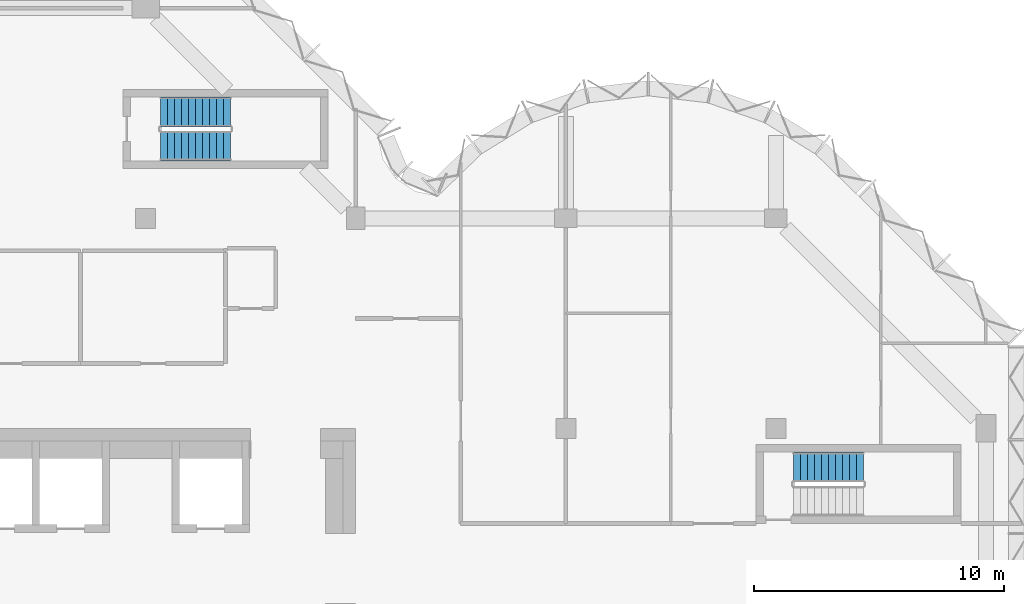
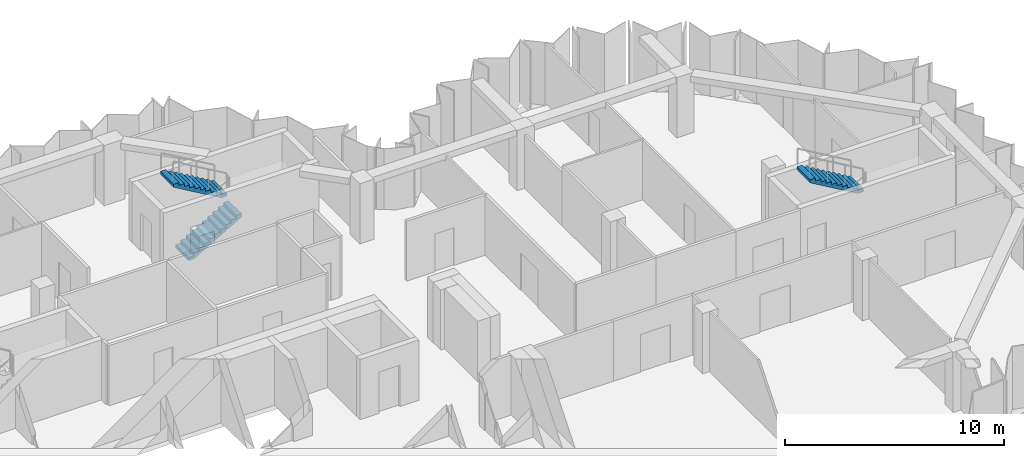
# One storey, part 8 of 10: 3 stair flights, 2 elements without a shape of their own.
"""IFC4 building model written with IfcOpenShell, lengths in metres."""

from ifc_helpers import new_model, si_unit, direction, frame, origin, place, context, subcontext, project, spatial, polyline, outline, extrude, material, type_object, element, aggregate, save


model = new_model("IFC4")

# Units and contexts
model_context = context("Model", 3, precision=1e-05, world=origin(), true_north=direction((0.0, 1.0)))
body_context = subcontext(model_context, "Body", "Model", "MODEL_VIEW")
ifc_project = project(units=[si_unit("LENGTHUNIT", "METRE"), si_unit("AREAUNIT", "SQUARE_METRE"), si_unit("VOLUMEUNIT", "CUBIC_METRE"), si_unit("PLANEANGLEUNIT", "RADIAN"), si_unit("MASSUNIT", "GRAM", prefix="KILO")], contexts=[model_context])

# Site, building, storey
site_placement = place(None, origin())
site = spatial("IfcSite", under=ifc_project, at=site_placement, CompositionType="ELEMENT")
building_placement = place(site_placement, origin())
building = spatial("IfcBuilding", under=site, at=building_placement, Name="Brevane Broadcast Tower", CompositionType="ELEMENT")
storey_placement = place(building_placement, frame((0.0, 0.0, 237.300048828125)))
storey = spatial("IfcBuildingStorey", under=building, at=storey_placement, Name="L60", CompositionType="ELEMENT", Elevation=237.300048828125)

# Stair, stair flights
ifc_material = material(Name="Concrete C50/60", Category="concrete")
stair_type = type_object("IfcStairType", Name="Exit stair 22 risers", PredefinedType="HALF_TURN_STAIR", material=ifc_material)
stair_1_placement = place(storey_placement, origin())
stair_1 = element("IfcStair", 1, at=stair_1_placement, inside=storey, type_object=stair_type, Name="L60 Exit stair ST-3", PredefinedType="HALF_TURN_STAIR")
stair_flight_type = type_object("IfcStairFlightType", Name="Exit stair flight 22 risers", PredefinedType="STRAIGHT", material=ifc_material)
stair_flight_1_placement = place(storey_placement, frame((17.39990234375, 28.10009765625, 0.0), z_axis=(0.0, 0.0, 1.0), x_axis=(1.0, 0.0, 0.0)))
stair_flight_1 = element("IfcStairFlight", 2, at=stair_flight_1_placement, type_object=stair_flight_type, Name="ST-3 flight 1", NumberOfRisers=11, NumberOfTreads=10, PredefinedType="STRAIGHT", RiserHeight=0.163636364, TreadLength=0.28, context=body_context, shape_type="SweptSolid", body=[
    extrude(outline(polyline([(0.0, 0.0), (0.0, 0.16357421875), (0.280029296875, 0.16357421875), (0.280029296875, 0.327392578125), (0.56005859375, 0.327392578125), (0.56005859375, 0.490966796875), (0.840087890625, 0.490966796875), (0.840087890625, 0.654541015625), (1.1201171875, 0.654541015625), (1.1201171875, 0.818115234375), (1.39990234375, 0.818115234375), (1.39990234375, 0.98193359375), (1.679931640625, 0.98193359375), (1.679931640625, 1.1455078125), (1.9599609375, 1.1455078125), (1.9599609375, 1.30908203125), (2.239990234375, 1.30908203125), (2.239990234375, 1.47265625), (2.52001953125, 1.47265625), (2.52001953125, 1.636474609375), (2.800048828125, 1.636474609375), (2.800048828125, 1.800048828125), (2.800048828125, 1.462646484375), (0.297119140625, 0.0), (0.0, 0.0)])), frame((0.0, 0.60009765625, 0.0), z_axis=(0.0, -1.0, 0.0), x_axis=(1.0, 0.0, 0.0)), (0.0, 0.0, 1.0), 1.199951171875),
])
stair_flight_2_placement = place(storey_placement, frame((20.199951171875, 29.449951171875, 1.800048828125), z_axis=(0.0, 0.0, 1.0), x_axis=(-1.0, 0.0, 0.0)))
stair_flight_2 = element("IfcStairFlight", 3, at=stair_flight_2_placement, type_object=stair_flight_type, Name="ST-3 flight 2", NumberOfRisers=11, NumberOfTreads=10, PredefinedType="STRAIGHT", RiserHeight=0.163636364, TreadLength=0.28, context=body_context, shape_type="SweptSolid", body=[
    extrude(outline(polyline([(0.0, 0.0), (0.0, 0.16357421875), (0.280029296875, 0.16357421875), (0.280029296875, 0.327392578125), (0.56005859375, 0.327392578125), (0.56005859375, 0.490966796875), (0.840087890625, 0.490966796875), (0.840087890625, 0.654541015625), (1.1201171875, 0.654541015625), (1.1201171875, 0.818115234375), (1.39990234375, 0.818115234375), (1.39990234375, 0.98193359375), (1.679931640625, 0.98193359375), (1.679931640625, 1.1455078125), (1.9599609375, 1.1455078125), (1.9599609375, 1.30908203125), (2.239990234375, 1.30908203125), (2.239990234375, 1.47265625), (2.52001953125, 1.47265625), (2.52001953125, 1.636474609375), (2.800048828125, 1.636474609375), (2.800048828125, 1.800048828125), (2.800048828125, 1.462646484375), (0.297119140625, 0.0), (0.0, 0.0)])), frame((0.0, 0.60009765625, 0.0), z_axis=(0.0, -1.0, 0.0), x_axis=(1.0, 0.0, 0.0)), (0.0, 0.0, 1.0), 1.199951171875),
])
aggregate(stair_1, [stair_flight_1, stair_flight_2])

# Stair, stair flight
stair_2_placement = place(storey_placement, origin())
stair_2 = element("IfcStair", 4, at=stair_2_placement, inside=storey, type_object=stair_type, Name="L60 Exit stair ST-4", PredefinedType="HALF_TURN_STAIR")
stair_flight_3_placement = place(storey_placement, frame((45.5, 15.25, 1.800048828125), z_axis=(0.0, 0.0, 1.0), x_axis=(-1.0, 0.0, 0.0)))
stair_flight_3 = element("IfcStairFlight", 5, at=stair_flight_3_placement, type_object=stair_flight_type, Name="ST-4 flight 2", NumberOfRisers=11, NumberOfTreads=10, PredefinedType="STRAIGHT", RiserHeight=0.163636364, TreadLength=0.28, context=body_context, shape_type="SweptSolid", body=[
    extrude(outline(polyline([(0.0, 0.0), (0.0, 0.16357421875), (0.280029296875, 0.16357421875), (0.280029296875, 0.327392578125), (0.56005859375, 0.327392578125), (0.56005859375, 0.490966796875), (0.840087890625, 0.490966796875), (0.840087890625, 0.654541015625), (1.1201171875, 0.654541015625), (1.1201171875, 0.818115234375), (1.39990234375, 0.818115234375), (1.39990234375, 0.98193359375), (1.679931640625, 0.98193359375), (1.679931640625, 1.1455078125), (1.9599609375, 1.1455078125), (1.9599609375, 1.30908203125), (2.239990234375, 1.30908203125), (2.239990234375, 1.47265625), (2.52001953125, 1.47265625), (2.52001953125, 1.636474609375), (2.800048828125, 1.636474609375), (2.800048828125, 1.800048828125), (2.800048828125, 1.462646484375), (0.297119140625, 0.0), (0.0, 0.0)])), frame((0.0, 0.60009765625, 0.0), z_axis=(0.0, -1.0, 0.0), x_axis=(1.0, 0.0, 0.0)), (0.0, 0.0, 1.0), 1.199951171875),
])
aggregate(stair_2, [stair_flight_3])

save(model, "model.ifc")
